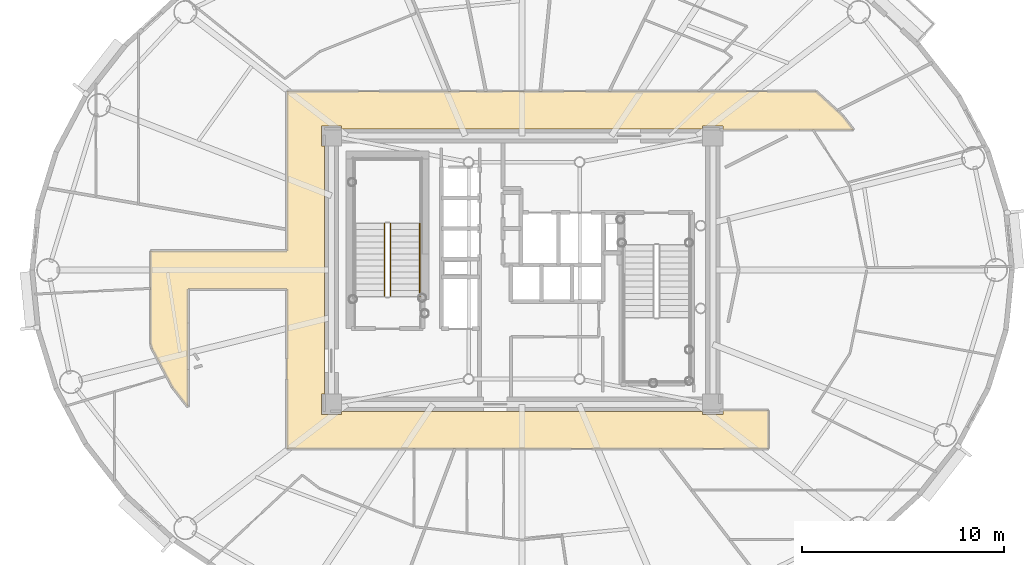
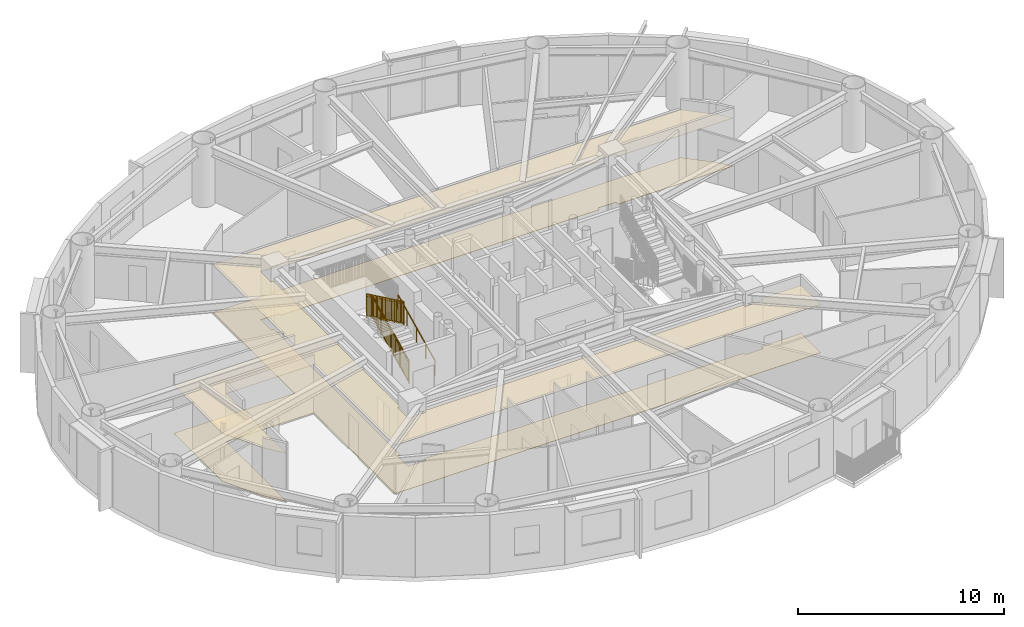
# One storey, part 12 of 18: 3 railings, 2 coverings.
"""IFC4 building model written with IfcOpenShell, lengths in metres."""

import ifcopenshell
import ifcopenshell.guid

model = None  # the IFC model being written
_history = None  # IfcOwnerHistory: only IFC2X3 demands one
_inside = {}  # id of a spatial element -> (the spatial element, [elements in it])
_under = {}  # id of a project, library or spatial element -> (it, [spatial elements below it])
_declared = {}  # id of a project -> (the project, [libraries it declares])
_typed = {}  # id of a type object -> (the type object, [elements of that type])
_made_of = {}  # id of a material, layer set ... -> (it, [elements and type objects made of it])


def new_model(schema):
    """Start an empty IFC model of exactly this schema.

    Asked for "IFC4X3", IfcOpenShell would pick the latest addendum, in which some entities
    have other attributes; the version numbers below select the first issue.
    IFC2X3 requires an IfcOwnerHistory on every rooted entity: one is made here for all.
    """
    global model, _history
    if schema == "IFC4X3":
        model = ifcopenshell.file(schema_version=(4, 3, 0, 0))
    else:
        model = ifcopenshell.file(schema=schema)
    _inside.clear()
    _under.clear()
    _declared.clear()
    _typed.clear()
    _made_of.clear()
    _history = None
    if model.schema == "IFC2X3":
        org = make("IfcOrganization", Name="unknown")
        user = make(
            "IfcPersonAndOrganization",
            ThePerson=make("IfcPerson", FamilyName="unknown"),
            TheOrganization=org,
        )
        app = make(
            "IfcApplication",
            ApplicationDeveloper=org,
            Version="unknown",
            ApplicationFullName="unknown",
            ApplicationIdentifier="unknown",
        )
        _history = make(
            "IfcOwnerHistory",
            OwningUser=user,
            OwningApplication=app,
            ChangeAction="ADDED",
            CreationDate=0,
        )
    return model


def make(cls, **values):
    """One entity of the class cls with the attributes given. An attribute that is None is left unset."""
    return model.create_entity(
        cls, **{name: value for name, value in values.items() if value is not None}
    )


def rooted(cls, **values):
    """An entity with a GlobalId (a new one), such as an element, a storey or a relation."""
    return make(cls, GlobalId=ifcopenshell.guid.new(), OwnerHistory=_history, **values)


def si_unit(unit_type, name, prefix=None):
    """IfcSIUnit, for example si_unit("LENGTHUNIT", "METRE", prefix="MILLI")."""
    return make("IfcSIUnit", UnitType=unit_type, Prefix=prefix, Name=name)


def assignment(units):
    """IfcUnitAssignment: the units of a project."""
    return None if units is None else make("IfcUnitAssignment", Units=units)


def point(xyz):
    """IfcCartesianPoint."""
    return None if xyz is None else make("IfcCartesianPoint", Coordinates=xyz)


def direction(xyz):
    """IfcDirection."""
    return None if xyz is None else make("IfcDirection", DirectionRatios=xyz)


def frame(location, z_axis=None, x_axis=None):
    """IfcAxis2Placement3D, a coordinate frame: its origin and axes. An axis left out is left unset."""
    return make(
        "IfcAxis2Placement3D",
        Location=point(location),
        Axis=direction(z_axis),
        RefDirection=direction(x_axis),
    )


def frame_2d(location, x_axis=None):
    """IfcAxis2Placement2D, a coordinate frame in the plane: its origin and x axis."""
    return make(
        "IfcAxis2Placement2D", Location=point(location), RefDirection=direction(x_axis)
    )


def origin():
    """The frame at (0, 0, 0) with its axes left unset."""
    return frame((0.0, 0.0, 0.0))


def origin_2d():
    """The frame at (0, 0) in the plane with its x axis left unset."""
    return frame_2d((0.0, 0.0))


def place(relative_to, where):
    """IfcLocalPlacement: puts the frame where relative to a parent placement (None: the world)."""
    return make(
        "IfcLocalPlacement", PlacementRelTo=relative_to, RelativePlacement=where
    )


def context(
    kind, dimensions, precision=None, world=None, true_north=None, identifier=None
):
    """IfcGeometricRepresentationContext, for example the 3D "Model" context."""
    return make(
        "IfcGeometricRepresentationContext",
        ContextIdentifier=identifier,
        ContextType=kind,
        CoordinateSpaceDimension=dimensions,
        Precision=precision,
        WorldCoordinateSystem=world,
        TrueNorth=true_north,
    )


def subcontext(parent, identifier, kind, view, scale=None):
    """IfcGeometricRepresentationSubContext, for example "Body" below "Model"."""
    return make(
        "IfcGeometricRepresentationSubContext",
        ContextIdentifier=identifier,
        ContextType=kind,
        ParentContext=parent,
        TargetScale=scale,
        TargetView=view,
    )


def project(units=None, contexts=None):
    """IfcProject with its units and contexts."""
    return rooted(
        "IfcProject",
        Name="project",
        RepresentationContexts=contexts,
        UnitsInContext=assignment(units),
    )


def spatial(cls, under=None, at=None, **own):
    """A site, building, storey or space (cls), placed at a placement, below another one or the project."""
    s = rooted(cls, ObjectPlacement=at, **own)
    if under is not None:
        _under.setdefault(under.id(), (under, []))[1].append(s)
    return s


def polyline(points):
    """IfcPolyline through the points."""
    return make("IfcPolyline", Points=[point(p) for p in points])


def profile(cls, at=None, kind="AREA", **sizes):
    """A parametric profile (cls). Its sizes go by their IFC names, for example OverallWidth=200.0."""
    return make(cls, ProfileType=kind, Position=at, **sizes)


def rectangle(**sizes):
    """IfcRectangleProfileDef."""
    return profile("IfcRectangleProfileDef", **sizes)


def outline(outer, holes=None, kind="AREA"):
    """IfcArbitraryClosedProfileDef: a profile drawn as a closed curve; with holes, ...WithVoids."""
    if holes is None:
        return make("IfcArbitraryClosedProfileDef", ProfileType=kind, OuterCurve=outer)
    return make(
        "IfcArbitraryProfileDefWithVoids",
        ProfileType=kind,
        OuterCurve=outer,
        InnerCurves=holes,
    )


def extrude(swept, where, along, depth):
    """IfcExtrudedAreaSolid: the profile swept, set in the frame where, extruded along a direction by depth."""
    return make(
        "IfcExtrudedAreaSolid",
        SweptArea=swept,
        Position=where,
        ExtrudedDirection=direction(along),
        Depth=depth,
    )


def shape(context_of_items, identifier, shape_type, items):
    """IfcShapeRepresentation: the items that make up one representation, for example the "Body"."""
    return make(
        "IfcShapeRepresentation",
        ContextOfItems=context_of_items,
        RepresentationIdentifier=identifier,
        RepresentationType=shape_type,
        Items=items,
    )


def source(mapping_origin, context_of_items, identifier, shape_type, items):
    """IfcRepresentationMap: a shape defined once, which mapped items show again and again."""
    return make(
        "IfcRepresentationMap",
        MappingOrigin=mapping_origin,
        MappedRepresentation=shape(context_of_items, identifier, shape_type, items),
    )


def transform(
    local_origin,
    x_axis=None,
    y_axis=None,
    z_axis=None,
    scale=None,
    scale2=None,
    scale3=None,
    uniform=True,
):
    """IfcCartesianTransformationOperator3D, or its non-uniform kind. x_axis, y_axis, z_axis: its Axis1, 2, 3."""
    if uniform:
        return make(
            "IfcCartesianTransformationOperator3D",
            Axis1=direction(x_axis),
            Axis2=direction(y_axis),
            LocalOrigin=point(local_origin),
            Scale=scale,
            Axis3=direction(z_axis),
        )
    return make(
        "IfcCartesianTransformationOperator3DnonUniform",
        Axis1=direction(x_axis),
        Axis2=direction(y_axis),
        LocalOrigin=point(local_origin),
        Scale=scale,
        Axis3=direction(z_axis),
        Scale2=scale2,
        Scale3=scale3,
    )


def mapped(mapping_source, mapping_target):
    """IfcMappedItem: shows the shape of a source again, moved by a transform."""
    return make(
        "IfcMappedItem", MappingSource=mapping_source, MappingTarget=mapping_target
    )


def material(Name=None, Category=None):
    """IfcMaterial."""
    return make("IfcMaterial", Name=Name, Category=Category)


def layer(
    of_material, thickness, ventilated=None, Name=None, Category=None, Priority=None
):
    """IfcMaterialLayer: one layer of a wall or slab, of a material (None: an air gap)."""
    return make(
        "IfcMaterialLayer",
        Material=of_material,
        LayerThickness=thickness,
        IsVentilated=ventilated,
        Name=Name,
        Category=Category,
        Priority=Priority,
    )


def layer_set(layers, Name=None):
    """IfcMaterialLayerSet."""
    return make("IfcMaterialLayerSet", MaterialLayers=layers, LayerSetName=Name)


def made_of(thing, what):
    """Note that an element or type object is made of a material, layer set ...; save() writes the relation."""
    if what is not None:
        _made_of.setdefault(what.id(), (what, []))[1].append(thing)
    return thing


def type_object(cls, material=None, **own):
    """A type object (cls), such as IfcWallType, which elements share."""
    return made_of(rooted(cls, **own), material)


def element(
    cls,
    number,
    at=None,
    inside=None,
    cuts=None,
    type_object=None,
    material=None,
    context=None,
    identifier="Body",
    shape_type=None,
    held_by="IfcProductDefinitionShape",
    body=None,
    shapes=None,
    **own,
):
    """One element of the class cls, such as IfcWall. Its Tag is "e" and its number.

    at: its placement. inside: the storey or other place that contains it. cuts: it is an
    opening in that element (IfcRelVoidsElement). A single representation is given by context,
    identifier, shape_type and body (its items); several are given by shapes. held_by: the class
    of the entity that holds the representations. save() writes the other relations.
    """
    e = rooted(cls, Tag="e%d" % number, ObjectPlacement=at, **own)
    if body is not None:
        shapes = [shape(context, identifier, shape_type, body)]
    if shapes is not None:
        e.Representation = make(held_by, Representations=shapes)
    if inside is not None:
        _inside.setdefault(inside.id(), (inside, []))[1].append(e)
    if cuts is not None:
        rooted(
            "IfcRelVoidsElement", RelatingBuildingElement=cuts, RelatedOpeningElement=e
        )
    if type_object is not None:
        _typed.setdefault(type_object.id(), (type_object, []))[1].append(e)
    return made_of(e, material)


def aggregate(whole, parts):
    """IfcRelAggregates: a whole, such as a stair, and the parts it consists of."""
    return rooted("IfcRelAggregates", RelatingObject=whole, RelatedObjects=parts)


def save(model, path):
    """Write the relations noted so far, then the file.

    IfcRelAggregates (storeys below a building ...), IfcRelContainedInSpatialStructure (elements
    in a storey), IfcRelDefinesByType, IfcRelAssociatesMaterial and IfcRelDeclares: one each for
    every whole, place, type object, material and project.
    """
    for whole, parts in _under.values():
        aggregate(whole, parts)
    for where, things in _inside.values():
        rooted(
            "IfcRelContainedInSpatialStructure",
            RelatedElements=things,
            RelatingStructure=where,
        )
    for kind, things in _typed.values():
        rooted("IfcRelDefinesByType", RelatedObjects=things, RelatingType=kind)
    for what, things in _made_of.values():
        rooted("IfcRelAssociatesMaterial", RelatedObjects=things, RelatingMaterial=what)
    for by, libraries in _declared.values():
        rooted("IfcRelDeclares", RelatingContext=by, RelatedDefinitions=libraries)
    model.write(path)


model = new_model("IFC4")

# Units and contexts
model_context = context("Model", 3, precision=1e-05, world=origin(), true_north=direction((0.0, 1.0)))
body_context = subcontext(model_context, "Body", "Model", "MODEL_VIEW")
ifc_project = project(units=[si_unit("LENGTHUNIT", "METRE"), si_unit("AREAUNIT", "SQUARE_METRE"), si_unit("VOLUMEUNIT", "CUBIC_METRE"), si_unit("PLANEANGLEUNIT", "RADIAN"), si_unit("MASSUNIT", "GRAM", prefix="KILO")], contexts=[model_context])

# Site, building, storey
site_placement = place(None, origin())
site = spatial("IfcSite", under=ifc_project, at=site_placement, CompositionType="ELEMENT")
building_placement = place(site_placement, origin())
building = spatial("IfcBuilding", under=site, at=building_placement, Name="Linh Dai School and Residence Tower", CompositionType="ELEMENT")
storey_placement = place(building_placement, frame((0.0, 0.0, 225.300048828125)))
storey = spatial("IfcBuildingStorey", under=building, at=storey_placement, Name="L55", CompositionType="ELEMENT", Elevation=225.300048828125)

# Coverings
ifc_material_1 = material(Name="Mineral Fibre Acoustic Suspended Ceiling", Category="masonry")
ifc_layer_1 = layer(ifc_material_1, 0.02001953125)
ifc_layer_set_1 = layer_set([ifc_layer_1], Name="Mineral Fibre Acoustic Suspended Ceiling")
covering_type_1 = type_object("IfcCoveringType", Name="COV-CEIL-AC-20", PredefinedType="CEILING", material=ifc_layer_set_1)
covering_1_placement = place(storey_placement, frame((0.0, 0.0, 2.849853515625)))
element("IfcCovering", 1, at=covering_1_placement, inside=storey, type_object=covering_type_1, Name="L55 Residential Floor Corridor Suspended Ceiling", PredefinedType="CEILING", context=body_context, shape_type="SweptSolid", body=[
    extrude(outline(polyline([(19.449951171875, 20.211181640625), (18.6806640625, 21.1943359375), (17.66650390625, 23.111083984375), (17.60009765625, 23.327880859375), (17.60009765625, 27.949951171875), (24.35009765625, 27.949951171875), (24.35009765625, 35.85009765625), (50.56787109375, 35.85009765625), (51.873779296875, 34.65283203125), (52.423828125, 33.949951171875), (45.949951171875, 33.949951171875), (45.949951171875, 34.14990234375), (44.949951171875, 34.14990234375), (44.949951171875, 34.0), (27.050048828125, 34.0), (27.050048828125, 34.14990234375), (26.050048828125, 34.14990234375), (26.050048828125, 33.14990234375), (26.199951171875, 33.14990234375), (26.199951171875, 20.85009765625), (26.050048828125, 20.85009765625), (26.050048828125, 19.85009765625), (27.050048828125, 19.85009765625), (27.050048828125, 20.0), (44.949951171875, 20.0), (44.949951171875, 19.85009765625), (45.949951171875, 19.85009765625), (45.949951171875, 20.050048828125), (48.199951171875, 20.050048828125), (48.199951171875, 18.14990234375), (24.35009765625, 18.14990234375), (24.35009765625, 26.050048828125), (19.449951171875, 26.050048828125), (19.449951171875, 20.211181640625)])), origin(), (0.0, 0.0, 1.0), 0.02001953125),
])
ifc_material_2 = material(Name="Polished Terrazzo Floor Finish", Category="masonry")
ifc_layer_2 = layer(ifc_material_2, 0.02490234375)
ifc_layer_set_2 = layer_set([ifc_layer_2], Name="Polished Terrazzo Floor Finish")
covering_type_2 = type_object("IfcCoveringType", Name="COV-FLR-TRZ-25", PredefinedType="FLOORING", material=ifc_layer_set_2)
covering_2_placement = place(storey_placement, origin())
element("IfcCovering", 2, at=covering_2_placement, inside=storey, type_object=covering_type_2, Name="L55 Residential Floor Corridor Floor Finish", PredefinedType="FLOORING", context=body_context, shape_type="SweptSolid", body=[
    extrude(outline(polyline([(19.449951171875, 20.211181640625), (18.6806640625, 21.1943359375), (17.66650390625, 23.111083984375), (17.60009765625, 23.327880859375), (17.60009765625, 27.949951171875), (24.35009765625, 27.949951171875), (24.35009765625, 35.85009765625), (50.56787109375, 35.85009765625), (51.873779296875, 34.65283203125), (52.423828125, 33.949951171875), (45.949951171875, 33.949951171875), (45.949951171875, 34.14990234375), (44.949951171875, 34.14990234375), (44.949951171875, 34.0), (27.050048828125, 34.0), (27.050048828125, 34.14990234375), (26.050048828125, 34.14990234375), (26.050048828125, 33.14990234375), (26.199951171875, 33.14990234375), (26.199951171875, 20.85009765625), (26.050048828125, 20.85009765625), (26.050048828125, 19.85009765625), (27.050048828125, 19.85009765625), (27.050048828125, 20.0), (44.949951171875, 20.0), (44.949951171875, 19.85009765625), (45.949951171875, 19.85009765625), (45.949951171875, 20.050048828125), (48.199951171875, 20.050048828125), (48.199951171875, 18.14990234375), (24.35009765625, 18.14990234375), (24.35009765625, 26.050048828125), (19.449951171875, 26.050048828125), (19.449951171875, 20.211181640625)])), origin(), (0.0, 0.0, 1.0), 0.02001953125),
])

# Railings
ifc_material_3 = material(Name="Structural Steel S355JR", Category="steel")
railing_type_1 = type_object("IfcRailingType", Name="RL-ST-GUARD-1400", PredefinedType="GUARDRAIL", material=ifc_material_3)
shared_shape_1 = source(origin(), body_context, "Body", "SweptSolid", [
    extrude(rectangle(XDim=0.048095703125, YDim=0.048095703125, at=origin_2d()), frame((0.0, 0.0, 1.3759765625), z_axis=(0.0, 0.901262522062, 0.433273431364), x_axis=(-1.0, 0.0, 0.0)), (0.0, 0.0, 1.0), 3.994384765625),
    extrude(rectangle(XDim=0.048095703125, YDim=0.048095703125, at=origin_2d()), frame((0.0, 0.0, 0.10009765625), z_axis=(0.0, 0.901262522062, 0.433273431364), x_axis=(-1.0, 0.0, 0.0)), (0.0, 0.0, 1.0), 3.994384765625),
    extrude(rectangle(XDim=0.030029296875, YDim=0.030029296875, at=origin_2d()), frame((0.0, 0.0, 1.239990234375), z_axis=(0.0, 0.901262522062, 0.433273431364), x_axis=(-1.0, 0.0, 0.0)), (0.0, 0.0, 1.0), 3.994384765625),
    extrude(rectangle(XDim=0.02001953125, YDim=0.02001953125, at=origin_2d()), frame((0.0, 0.087890625, 0.142333984375)), (0.0, 0.0, 1.0), 1.251708984375),
    extrude(rectangle(XDim=0.02001953125, YDim=0.02001953125, at=origin_2d()), frame((0.0, 0.175537109375, 0.1845703125)), (0.0, 0.0, 1.0), 1.251708984375),
    extrude(rectangle(XDim=0.02001953125, YDim=0.02001953125, at=origin_2d()), frame((0.0, 0.263427734375, 0.226806640625)), (0.0, 0.0, 1.0), 1.251708984375),
    extrude(rectangle(XDim=0.02001953125, YDim=0.02001953125, at=origin_2d()), frame((0.0, 0.351318359375, 0.26904296875)), (0.0, 0.0, 1.0), 1.251708984375),
    extrude(rectangle(XDim=0.02001953125, YDim=0.02001953125, at=origin_2d()), frame((0.0, 0.43896484375, 0.311279296875)), (0.0, 0.0, 1.0), 1.251708984375),
    extrude(rectangle(XDim=0.02001953125, YDim=0.02001953125, at=origin_2d()), frame((0.0, 0.52685546875, 0.353271484375)), (0.0, 0.0, 1.0), 1.251708984375),
    extrude(rectangle(XDim=0.02001953125, YDim=0.02001953125, at=origin_2d()), frame((0.0, 0.61474609375, 0.3955078125)), (0.0, 0.0, 1.0), 1.251708984375),
    extrude(rectangle(XDim=0.02001953125, YDim=0.02001953125, at=origin_2d()), frame((0.0, 0.702392578125, 0.437744140625)), (0.0, 0.0, 1.0), 1.251708984375),
    extrude(rectangle(XDim=0.02001953125, YDim=0.02001953125, at=origin_2d()), frame((0.0, 0.790283203125, 0.47998046875)), (0.0, 0.0, 1.0), 1.251708984375),
    extrude(rectangle(XDim=0.02001953125, YDim=0.02001953125, at=origin_2d()), frame((0.0, 0.9658203125, 0.564453125)), (0.0, 0.0, 1.0), 1.251708984375),
    extrude(rectangle(XDim=0.02001953125, YDim=0.02001953125, at=origin_2d()), frame((0.0, 1.0537109375, 0.606689453125)), (0.0, 0.0, 1.0), 1.251708984375),
    extrude(rectangle(XDim=0.02001953125, YDim=0.02001953125, at=origin_2d()), frame((0.0, 1.1416015625, 0.64892578125)), (0.0, 0.0, 1.0), 1.251708984375),
    extrude(rectangle(XDim=0.02001953125, YDim=0.02001953125, at=origin_2d()), frame((0.0, 1.229248046875, 0.691162109375)), (0.0, 0.0, 1.0), 1.251708984375),
    extrude(rectangle(XDim=0.02001953125, YDim=0.02001953125, at=origin_2d()), frame((0.0, 1.317138671875, 0.7333984375)), (0.0, 0.0, 1.0), 1.251708984375),
    extrude(rectangle(XDim=0.02001953125, YDim=0.02001953125, at=origin_2d()), frame((0.0, 1.405029296875, 0.775390625)), (0.0, 0.0, 1.0), 1.251708984375),
    extrude(rectangle(XDim=0.02001953125, YDim=0.02001953125, at=origin_2d()), frame((0.0, 1.49267578125, 0.817626953125)), (0.0, 0.0, 1.0), 1.251708984375),
    extrude(rectangle(XDim=0.02001953125, YDim=0.02001953125, at=origin_2d()), frame((0.0, 1.58056640625, 0.85986328125)), (0.0, 0.0, 1.0), 1.251708984375),
    extrude(rectangle(XDim=0.02001953125, YDim=0.02001953125, at=origin_2d()), frame((0.0, 1.66845703125, 0.902099609375)), (0.0, 0.0, 1.0), 1.251708984375),
    extrude(rectangle(XDim=0.02001953125, YDim=0.02001953125, at=origin_2d()), frame((0.0, 1.756103515625, 0.9443359375)), (0.0, 0.0, 1.0), 1.251708984375),
    extrude(rectangle(XDim=0.02001953125, YDim=0.02001953125, at=origin_2d()), frame((0.0, 1.843994140625, 0.986572265625)), (0.0, 0.0, 1.0), 1.251708984375),
    extrude(rectangle(XDim=0.02001953125, YDim=0.02001953125, at=origin_2d()), frame((0.0, 1.931640625, 1.02880859375)), (0.0, 0.0, 1.0), 1.251708984375),
    extrude(rectangle(XDim=0.02001953125, YDim=0.02001953125, at=origin_2d()), frame((0.0, 2.01953125, 1.071044921875)), (0.0, 0.0, 1.0), 1.251708984375),
    extrude(rectangle(XDim=0.02001953125, YDim=0.02001953125, at=origin_2d()), frame((0.0, 2.107421875, 1.11328125)), (0.0, 0.0, 1.0), 1.251708984375),
    extrude(rectangle(XDim=0.02001953125, YDim=0.02001953125, at=origin_2d()), frame((0.0, 2.195068359375, 1.155517578125)), (0.0, 0.0, 1.0), 1.251708984375),
    extrude(rectangle(XDim=0.02001953125, YDim=0.02001953125, at=origin_2d()), frame((0.0, 2.282958984375, 1.197509765625)), (0.0, 0.0, 1.0), 1.251708984375),
    extrude(rectangle(XDim=0.02001953125, YDim=0.02001953125, at=origin_2d()), frame((0.0, 2.370849609375, 1.23974609375)), (0.0, 0.0, 1.0), 1.251708984375),
    extrude(rectangle(XDim=0.02001953125, YDim=0.02001953125, at=origin_2d()), frame((0.0, 2.45849609375, 1.281982421875)), (0.0, 0.0, 1.0), 1.251708984375),
    extrude(rectangle(XDim=0.02001953125, YDim=0.02001953125, at=origin_2d()), frame((0.0, 2.54638671875, 1.32421875)), (0.0, 0.0, 1.0), 1.251708984375),
    extrude(rectangle(XDim=0.02001953125, YDim=0.02001953125, at=origin_2d()), frame((0.0, 2.63427734375, 1.366455078125)), (0.0, 0.0, 1.0), 1.251708984375),
    extrude(rectangle(XDim=0.02001953125, YDim=0.02001953125, at=origin_2d()), frame((0.0, 2.809814453125, 1.450927734375)), (0.0, 0.0, 1.0), 1.251708984375),
    extrude(rectangle(XDim=0.02001953125, YDim=0.02001953125, at=origin_2d()), frame((0.0, 2.897705078125, 1.4931640625)), (0.0, 0.0, 1.0), 1.251708984375),
    extrude(rectangle(XDim=0.02001953125, YDim=0.02001953125, at=origin_2d()), frame((0.0, 2.9853515625, 1.535400390625)), (0.0, 0.0, 1.0), 1.251708984375),
    extrude(rectangle(XDim=0.02001953125, YDim=0.02001953125, at=origin_2d()), frame((0.0, 3.0732421875, 1.57763671875)), (0.0, 0.0, 1.0), 1.251708984375),
    extrude(rectangle(XDim=0.02001953125, YDim=0.02001953125, at=origin_2d()), frame((0.0, 3.1611328125, 1.61962890625)), (0.0, 0.0, 1.0), 1.251708984375),
    extrude(rectangle(XDim=0.02001953125, YDim=0.02001953125, at=origin_2d()), frame((0.0, 3.248779296875, 1.661865234375)), (0.0, 0.0, 1.0), 1.251708984375),
    extrude(rectangle(XDim=0.02001953125, YDim=0.02001953125, at=origin_2d()), frame((0.0, 3.336669921875, 1.7041015625)), (0.0, 0.0, 1.0), 1.251708984375),
    extrude(rectangle(XDim=0.02001953125, YDim=0.02001953125, at=origin_2d()), frame((0.0, 3.424560546875, 1.746337890625)), (0.0, 0.0, 1.0), 1.251708984375),
    extrude(rectangle(XDim=0.02001953125, YDim=0.02001953125, at=origin_2d()), frame((0.0, 3.51220703125, 1.78857421875)), (0.0, 0.0, 1.0), 1.251708984375),
    extrude(rectangle(XDim=0.0419921875, YDim=0.0419921875, at=origin_2d()), origin(), (0.0, 0.0, 1.0), 1.3759765625),
    extrude(rectangle(XDim=0.0419921875, YDim=0.0419921875, at=origin_2d()), frame((0.0, 0.89990234375, 0.4326171875)), (0.0, 0.0, 1.0), 1.3759765625),
    extrude(rectangle(XDim=0.0419921875, YDim=0.0419921875, at=origin_2d()), frame((0.0, 1.800048828125, 0.865234375)), (0.0, 0.0, 1.0), 1.3759765625),
    extrude(rectangle(XDim=0.0419921875, YDim=0.0419921875, at=origin_2d()), frame((0.0, 2.7001953125, 1.298095703125)), (0.0, 0.0, 1.0), 1.3759765625),
    extrude(rectangle(XDim=0.0419921875, YDim=0.0419921875, at=origin_2d()), frame((0.0, 3.60009765625, 1.730712890625)), (0.0, 0.0, 1.0), 1.3759765625),
])
railing_1_placement = place(storey_placement, frame((29.47998046875, 25.699951171875, 0.144287109375)))
element("IfcRailing", 3, at=railing_1_placement, inside=storey, type_object=railing_type_1, Name="L55 ST1 stair guard 1", PredefinedType="GUARDRAIL", context=body_context, shape_type="MappedRepresentation", body=[
    mapped(shared_shape_1, transform((0.0, 0.0, 0.0), x_axis=(1.0, 0.0, 0.0), y_axis=(0.0, 1.0, 0.0), z_axis=(0.0, 0.0, 1.0), scale=1.0)),
])
shared_shape_2 = source(origin(), body_context, "Body", "SweptSolid", [
    extrude(rectangle(XDim=0.048095703125, YDim=0.048095703125, at=origin_2d()), frame((0.0, 0.0, 1.3759765625), z_axis=(0.0, -0.901262522062, 0.433273431364), x_axis=(1.0, 0.0, 0.0)), (0.0, 0.0, 1.0), 3.994384765625),
    extrude(rectangle(XDim=0.048095703125, YDim=0.048095703125, at=origin_2d()), frame((0.0, 0.0, 0.10009765625), z_axis=(0.0, -0.901262522062, 0.433273431364), x_axis=(1.0, 0.0, 0.0)), (0.0, 0.0, 1.0), 3.994384765625),
    extrude(rectangle(XDim=0.030029296875, YDim=0.030029296875, at=origin_2d()), frame((0.0, 0.0, 1.239990234375), z_axis=(0.0, -0.901262522062, 0.433273431364), x_axis=(1.0, 0.0, 0.0)), (0.0, 0.0, 1.0), 3.994384765625),
    extrude(rectangle(XDim=0.02001953125, YDim=0.02001953125, at=origin_2d()), frame((0.0, -0.087890625, 0.142333984375)), (0.0, 0.0, 1.0), 1.251708984375),
    extrude(rectangle(XDim=0.02001953125, YDim=0.02001953125, at=origin_2d()), frame((0.0, -0.175537109375, 0.1845703125)), (0.0, 0.0, 1.0), 1.251708984375),
    extrude(rectangle(XDim=0.02001953125, YDim=0.02001953125, at=origin_2d()), frame((0.0, -0.263427734375, 0.226806640625)), (0.0, 0.0, 1.0), 1.251708984375),
    extrude(rectangle(XDim=0.02001953125, YDim=0.02001953125, at=origin_2d()), frame((0.0, -0.351318359375, 0.26904296875)), (0.0, 0.0, 1.0), 1.251708984375),
    extrude(rectangle(XDim=0.02001953125, YDim=0.02001953125, at=origin_2d()), frame((0.0, -0.43896484375, 0.311279296875)), (0.0, 0.0, 1.0), 1.251708984375),
    extrude(rectangle(XDim=0.02001953125, YDim=0.02001953125, at=origin_2d()), frame((0.0, -0.52685546875, 0.353271484375)), (0.0, 0.0, 1.0), 1.251708984375),
    extrude(rectangle(XDim=0.02001953125, YDim=0.02001953125, at=origin_2d()), frame((0.0, -0.61474609375, 0.3955078125)), (0.0, 0.0, 1.0), 1.251708984375),
    extrude(rectangle(XDim=0.02001953125, YDim=0.02001953125, at=origin_2d()), frame((0.0, -0.702392578125, 0.437744140625)), (0.0, 0.0, 1.0), 1.251708984375),
    extrude(rectangle(XDim=0.02001953125, YDim=0.02001953125, at=origin_2d()), frame((0.0, -0.790283203125, 0.47998046875)), (0.0, 0.0, 1.0), 1.251708984375),
    extrude(rectangle(XDim=0.02001953125, YDim=0.02001953125, at=origin_2d()), frame((0.0, -0.9658203125, 0.564453125)), (0.0, 0.0, 1.0), 1.251708984375),
    extrude(rectangle(XDim=0.02001953125, YDim=0.02001953125, at=origin_2d()), frame((0.0, -1.0537109375, 0.606689453125)), (0.0, 0.0, 1.0), 1.251708984375),
    extrude(rectangle(XDim=0.02001953125, YDim=0.02001953125, at=origin_2d()), frame((0.0, -1.1416015625, 0.64892578125)), (0.0, 0.0, 1.0), 1.251708984375),
    extrude(rectangle(XDim=0.02001953125, YDim=0.02001953125, at=origin_2d()), frame((0.0, -1.229248046875, 0.691162109375)), (0.0, 0.0, 1.0), 1.251708984375),
    extrude(rectangle(XDim=0.02001953125, YDim=0.02001953125, at=origin_2d()), frame((0.0, -1.317138671875, 0.7333984375)), (0.0, 0.0, 1.0), 1.251708984375),
    extrude(rectangle(XDim=0.02001953125, YDim=0.02001953125, at=origin_2d()), frame((0.0, -1.405029296875, 0.775390625)), (0.0, 0.0, 1.0), 1.251708984375),
    extrude(rectangle(XDim=0.02001953125, YDim=0.02001953125, at=origin_2d()), frame((0.0, -1.49267578125, 0.817626953125)), (0.0, 0.0, 1.0), 1.251708984375),
    extrude(rectangle(XDim=0.02001953125, YDim=0.02001953125, at=origin_2d()), frame((0.0, -1.58056640625, 0.85986328125)), (0.0, 0.0, 1.0), 1.251708984375),
    extrude(rectangle(XDim=0.02001953125, YDim=0.02001953125, at=origin_2d()), frame((0.0, -1.66845703125, 0.902099609375)), (0.0, 0.0, 1.0), 1.251708984375),
    extrude(rectangle(XDim=0.02001953125, YDim=0.02001953125, at=origin_2d()), frame((0.0, -1.756103515625, 0.9443359375)), (0.0, 0.0, 1.0), 1.251708984375),
    extrude(rectangle(XDim=0.02001953125, YDim=0.02001953125, at=origin_2d()), frame((0.0, -1.843994140625, 0.986572265625)), (0.0, 0.0, 1.0), 1.251708984375),
    extrude(rectangle(XDim=0.02001953125, YDim=0.02001953125, at=origin_2d()), frame((0.0, -1.931640625, 1.02880859375)), (0.0, 0.0, 1.0), 1.251708984375),
    extrude(rectangle(XDim=0.02001953125, YDim=0.02001953125, at=origin_2d()), frame((0.0, -2.01953125, 1.071044921875)), (0.0, 0.0, 1.0), 1.251708984375),
    extrude(rectangle(XDim=0.02001953125, YDim=0.02001953125, at=origin_2d()), frame((0.0, -2.107421875, 1.11328125)), (0.0, 0.0, 1.0), 1.251708984375),
    extrude(rectangle(XDim=0.02001953125, YDim=0.02001953125, at=origin_2d()), frame((0.0, -2.195068359375, 1.155517578125)), (0.0, 0.0, 1.0), 1.251708984375),
    extrude(rectangle(XDim=0.02001953125, YDim=0.02001953125, at=origin_2d()), frame((0.0, -2.282958984375, 1.197509765625)), (0.0, 0.0, 1.0), 1.251708984375),
    extrude(rectangle(XDim=0.02001953125, YDim=0.02001953125, at=origin_2d()), frame((0.0, -2.370849609375, 1.23974609375)), (0.0, 0.0, 1.0), 1.251708984375),
    extrude(rectangle(XDim=0.02001953125, YDim=0.02001953125, at=origin_2d()), frame((0.0, -2.45849609375, 1.281982421875)), (0.0, 0.0, 1.0), 1.251708984375),
    extrude(rectangle(XDim=0.02001953125, YDim=0.02001953125, at=origin_2d()), frame((0.0, -2.54638671875, 1.32421875)), (0.0, 0.0, 1.0), 1.251708984375),
    extrude(rectangle(XDim=0.02001953125, YDim=0.02001953125, at=origin_2d()), frame((0.0, -2.63427734375, 1.366455078125)), (0.0, 0.0, 1.0), 1.251708984375),
    extrude(rectangle(XDim=0.02001953125, YDim=0.02001953125, at=origin_2d()), frame((0.0, -2.809814453125, 1.450927734375)), (0.0, 0.0, 1.0), 1.251708984375),
    extrude(rectangle(XDim=0.02001953125, YDim=0.02001953125, at=origin_2d()), frame((0.0, -2.897705078125, 1.4931640625)), (0.0, 0.0, 1.0), 1.251708984375),
    extrude(rectangle(XDim=0.02001953125, YDim=0.02001953125, at=origin_2d()), frame((0.0, -2.9853515625, 1.535400390625)), (0.0, 0.0, 1.0), 1.251708984375),
    extrude(rectangle(XDim=0.02001953125, YDim=0.02001953125, at=origin_2d()), frame((0.0, -3.0732421875, 1.57763671875)), (0.0, 0.0, 1.0), 1.251708984375),
    extrude(rectangle(XDim=0.02001953125, YDim=0.02001953125, at=origin_2d()), frame((0.0, -3.1611328125, 1.61962890625)), (0.0, 0.0, 1.0), 1.251708984375),
    extrude(rectangle(XDim=0.02001953125, YDim=0.02001953125, at=origin_2d()), frame((0.0, -3.248779296875, 1.661865234375)), (0.0, 0.0, 1.0), 1.251708984375),
    extrude(rectangle(XDim=0.02001953125, YDim=0.02001953125, at=origin_2d()), frame((0.0, -3.336669921875, 1.7041015625)), (0.0, 0.0, 1.0), 1.251708984375),
    extrude(rectangle(XDim=0.02001953125, YDim=0.02001953125, at=origin_2d()), frame((0.0, -3.424560546875, 1.746337890625)), (0.0, 0.0, 1.0), 1.251708984375),
    extrude(rectangle(XDim=0.02001953125, YDim=0.02001953125, at=origin_2d()), frame((0.0, -3.51220703125, 1.78857421875)), (0.0, 0.0, 1.0), 1.251708984375),
    extrude(rectangle(XDim=0.0419921875, YDim=0.0419921875, at=origin_2d()), origin(), (0.0, 0.0, 1.0), 1.3759765625),
    extrude(rectangle(XDim=0.0419921875, YDim=0.0419921875, at=origin_2d()), frame((0.0, -0.89990234375, 0.4326171875)), (0.0, 0.0, 1.0), 1.3759765625),
    extrude(rectangle(XDim=0.0419921875, YDim=0.0419921875, at=origin_2d()), frame((0.0, -1.800048828125, 0.865234375)), (0.0, 0.0, 1.0), 1.3759765625),
    extrude(rectangle(XDim=0.0419921875, YDim=0.0419921875, at=origin_2d()), frame((0.0, -2.7001953125, 1.298095703125)), (0.0, 0.0, 1.0), 1.3759765625),
    extrude(rectangle(XDim=0.0419921875, YDim=0.0419921875, at=origin_2d()), frame((0.0, -3.60009765625, 1.730712890625)), (0.0, 0.0, 1.0), 1.3759765625),
])
railing_2_placement = place(storey_placement, frame((29.179931640625, 29.300048828125, 2.019287109375)))
element("IfcRailing", 4, at=railing_2_placement, inside=storey, type_object=railing_type_1, Name="L55 ST1 stair guard 6", PredefinedType="GUARDRAIL", context=body_context, shape_type="MappedRepresentation", body=[
    mapped(shared_shape_2, transform((0.0, 0.0, 0.0), x_axis=(1.0, 0.0, 0.0), y_axis=(0.0, 1.0, 0.0), z_axis=(0.0, 0.0, 1.0), scale=1.0)),
])
ifc_material_4 = material(Name="Brushed Stainless Steel Handrail", Category="steel")
railing_type_2 = type_object("IfcRailingType", Name="RL-ST-HANDRAIL-900", PredefinedType="HANDRAIL", material=ifc_material_4)
shared_shape_3 = source(origin(), body_context, "Body", "SweptSolid", [
    extrude(rectangle(XDim=0.048095703125, YDim=0.048095703125, at=origin_2d()), frame((0.0, 0.0, 0.8759765625), z_axis=(0.0, 0.901262522062, 0.433273431364), x_axis=(-1.0, 0.0, 0.0)), (0.0, 0.0, 1.0), 3.994384765625),
    extrude(rectangle(XDim=0.0419921875, YDim=0.0419921875, at=origin_2d()), origin(), (0.0, 0.0, 1.0), 0.8759765625),
    extrude(rectangle(XDim=0.0419921875, YDim=0.0419921875, at=origin_2d()), frame((0.0, 0.89990234375, 0.4326171875)), (0.0, 0.0, 1.0), 0.8759765625),
    extrude(rectangle(XDim=0.0419921875, YDim=0.0419921875, at=origin_2d()), frame((0.0, 1.800048828125, 0.865234375)), (0.0, 0.0, 1.0), 0.8759765625),
    extrude(rectangle(XDim=0.0419921875, YDim=0.0419921875, at=origin_2d()), frame((0.0, 2.7001953125, 1.298095703125)), (0.0, 0.0, 1.0), 0.8759765625),
    extrude(rectangle(XDim=0.0419921875, YDim=0.0419921875, at=origin_2d()), frame((0.0, 3.60009765625, 1.730712890625)), (0.0, 0.0, 1.0), 0.8759765625),
])
railing_3_placement = place(storey_placement, frame((30.929931640625, 25.699951171875, 0.144287109375)))
element("IfcRailing", 5, at=railing_3_placement, inside=storey, type_object=railing_type_2, Name="L55 ST1 stair handrail 1", PredefinedType="HANDRAIL", context=body_context, shape_type="MappedRepresentation", body=[
    mapped(shared_shape_3, transform((0.0, 0.0, 0.0), x_axis=(1.0, 0.0, 0.0), y_axis=(0.0, 1.0, 0.0), z_axis=(0.0, 0.0, 1.0), scale=1.0)),
])

save(model, "model.ifc")
